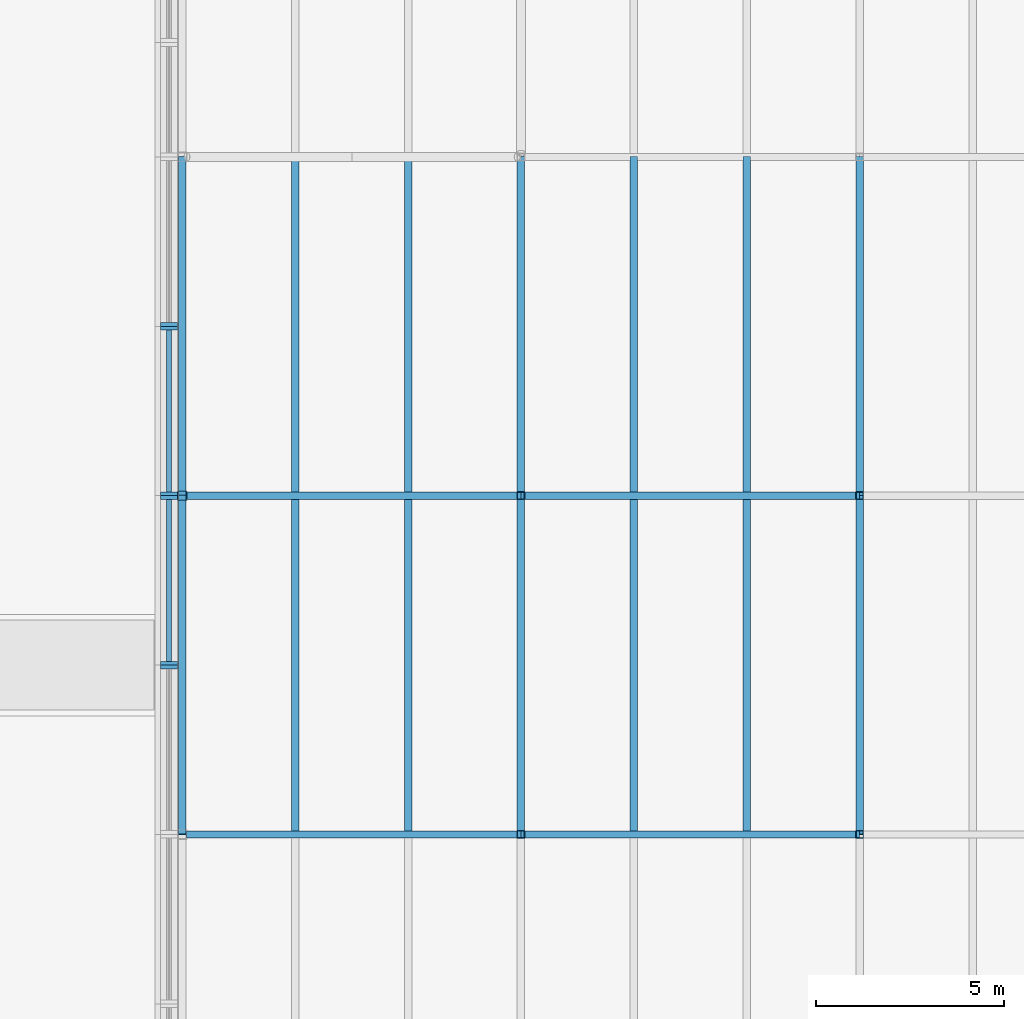
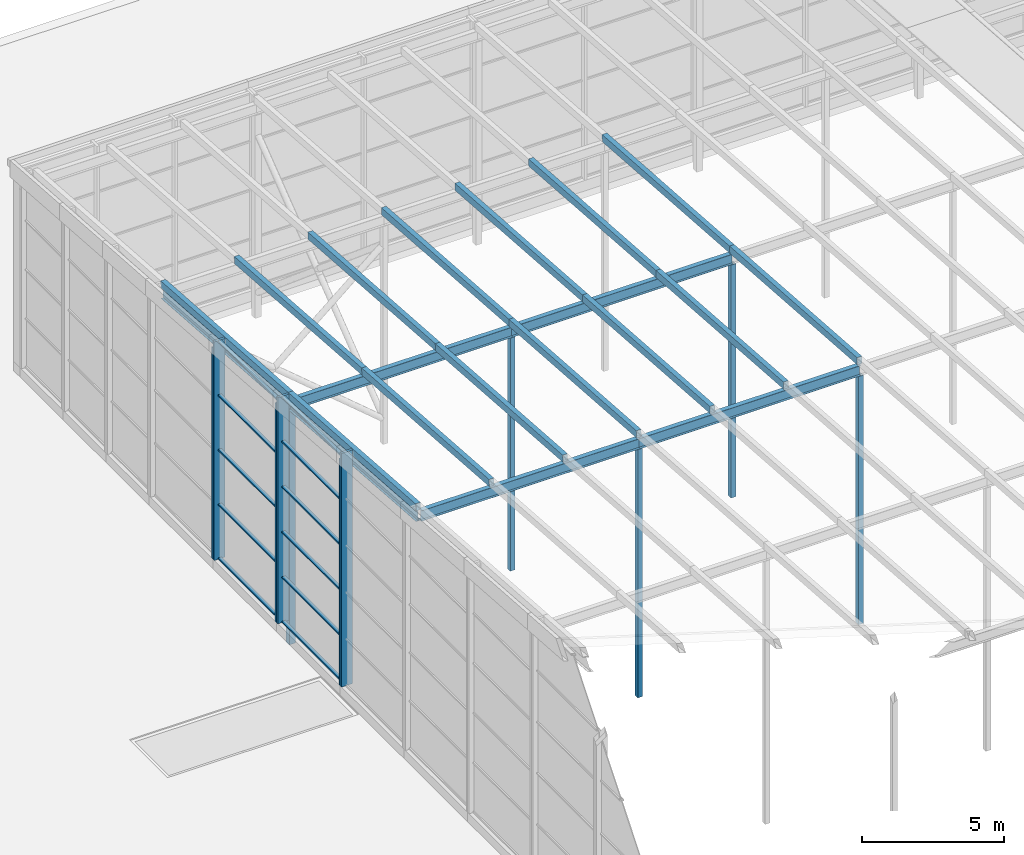
# One storey, part 30 of 84: 36 members, 6 beams, 4 elements without a shape of their own.
"""IFC4 building model written with IfcOpenShell, lengths in metres."""

from ifc_helpers import new_model, si_unit, direction, frame, origin, origin_2d, place, context, subcontext, project, spatial, rectangle, hollow_rectangle, i_section, extrude, material, material_profile, profile_set, type_object, element, aggregate, save


model = new_model("IFC4")

# Units and contexts
model_context = context("Model", 3, precision=1e-05, world=origin(), true_north=direction((0.0, 1.0)))
body_context = subcontext(model_context, "Body", "Model", "MODEL_VIEW")
ifc_project = project(units=[si_unit("LENGTHUNIT", "METRE"), si_unit("AREAUNIT", "SQUARE_METRE"), si_unit("VOLUMEUNIT", "CUBIC_METRE"), si_unit("PLANEANGLEUNIT", "RADIAN"), si_unit("MASSUNIT", "GRAM", prefix="KILO")], contexts=[model_context])

# Site, building, storey
site_placement = place(None, origin())
site = spatial("IfcSite", under=ifc_project, at=site_placement, CompositionType="ELEMENT")
building_placement = place(site_placement, origin())
building = spatial("IfcBuilding", under=site, at=building_placement, Name="Silverbay Arena", CompositionType="ELEMENT")
storey_placement = place(building_placement, frame((0.0, 0.0, 47.10009765625)))
storey = spatial("IfcBuildingStorey", under=building, at=storey_placement, Name="ROOF", CompositionType="ELEMENT", Elevation=47.10009765625)

# Curtain wall, member
ifc_material_1 = material(Name="Aluminium framed glazing", Category="aluminium")
curtain_wall_type_1 = type_object("IfcCurtainWallType", Name="Curtain wall crown 4500 x 10075", PredefinedType="NOTDEFINED", material=ifc_material_1)
curtain_wall_1_placement = place(storey_placement, origin())
curtain_wall_1 = element("IfcCurtainWall", 1, at=curtain_wall_1_placement, inside=storey, type_object=curtain_wall_type_1, Name="ROOF CROWN CURTAIN WALL west bay 20", PredefinedType="NOTDEFINED")
ifc_material_2 = material(Name="Aluminium", Category="aluminium")
ifc_material_profile_1 = material_profile(ifc_material_2, rectangle(XDim=0.449951171875, YDim=0.10009765625, at=origin_2d()), Name="Mullion 100 x 450")
ifc_profile_set_1 = profile_set([ifc_material_profile_1], Name="Aluminium")
member_type_1 = type_object("IfcMemberType", Name="Mullion 100 x 450", PredefinedType="MULLION", material=ifc_profile_set_1)
placement = place(building_placement, frame((0.0, 0.0, 33.5)))
member_1_placement = place(placement, frame((80.64990234375, 112.449951171875, 14.050048828125), z_axis=(0.0, 0.0, 1.0), x_axis=(-1.0, 0.0, 0.0)))
member_1 = element("IfcMember", 2, at=member_1_placement, type_object=member_type_1, Name="CW69 mullion 2", PredefinedType="MULLION", context=body_context, shape_type="SweptSolid", body=[
    extrude(rectangle(XDim=0.449951171875, YDim=0.10009765625, at=origin_2d()), origin(), (0.0, 0.0, 1.0), 10.074951171875),
])
aggregate(curtain_wall_1, [member_1])

# Curtain wall, members
ifc_material_3 = material(Name="Aluminium framed glazing", Category="aluminium")
curtain_wall_type_2 = type_object("IfcCurtainWallType", Name="Curtain wall crown 4500 x 9750", PredefinedType="NOTDEFINED", material=ifc_material_3)
curtain_wall_2_placement = place(storey_placement, origin())
curtain_wall_2 = element("IfcCurtainWall", 3, at=curtain_wall_2_placement, inside=storey, type_object=curtain_wall_type_2, Name="ROOF CROWN CURTAIN WALL west bay 21", PredefinedType="NOTDEFINED")
member_2_placement = place(placement, frame((80.64990234375, 112.550048828125, 14.050048828125), z_axis=(0.0, 0.0, 1.0), x_axis=(-1.0, 0.0, 0.0)))
member_2 = element("IfcMember", 4, at=member_2_placement, type_object=member_type_1, Name="CW68 mullion 1", PredefinedType="MULLION", context=body_context, shape_type="SweptSolid", body=[
    extrude(rectangle(XDim=0.449951171875, YDim=0.10009765625, at=origin_2d()), origin(), (0.0, 0.0, 1.0), 9.75),
])
member_3_placement = place(placement, frame((80.64990234375, 116.949951171875, 14.050048828125), z_axis=(0.0, 0.0, 1.0), x_axis=(-1.0, 0.0, 0.0)))
member_3 = element("IfcMember", 5, at=member_3_placement, type_object=member_type_1, Name="CW68 mullion 2", PredefinedType="MULLION", context=body_context, shape_type="SweptSolid", body=[
    extrude(rectangle(XDim=0.449951171875, YDim=0.10009765625, at=origin_2d()), origin(), (0.0, 0.0, 1.0), 9.75),
])

ifc_material_4 = material(Name="Aluminium framed glazing", Category="aluminium")
curtain_wall_type_3 = type_object("IfcCurtainWallType", Name="Curtain wall crown 4500 x 9425", PredefinedType="NOTDEFINED", material=ifc_material_4)
curtain_wall_3_placement = place(storey_placement, origin())
curtain_wall_3 = element("IfcCurtainWall", 6, at=curtain_wall_3_placement, inside=storey, type_object=curtain_wall_type_3, Name="ROOF CROWN CURTAIN WALL west bay 22", PredefinedType="NOTDEFINED")
member_4_placement = place(placement, frame((80.64990234375, 117.050048828125, 14.050048828125), z_axis=(0.0, 0.0, 1.0), x_axis=(-1.0, 0.0, 0.0)))
member_4 = element("IfcMember", 7, at=member_4_placement, type_object=member_type_1, Name="CW67 mullion 1", PredefinedType="MULLION", context=body_context, shape_type="SweptSolid", body=[
    extrude(rectangle(XDim=0.449951171875, YDim=0.10009765625, at=origin_2d()), origin(), (0.0, 0.0, 1.0), 9.425048828125),
])
member_5_placement = place(placement, frame((80.64990234375, 121.449951171875, 14.050048828125), z_axis=(0.0, 0.0, 1.0), x_axis=(-1.0, 0.0, 0.0)))
member_5 = element("IfcMember", 8, at=member_5_placement, type_object=member_type_1, Name="CW67 mullion 2", PredefinedType="MULLION", context=body_context, shape_type="SweptSolid", body=[
    extrude(rectangle(XDim=0.449951171875, YDim=0.10009765625, at=origin_2d()), origin(), (0.0, 0.0, 1.0), 9.425048828125),
])

# Curtain wall, member
ifc_material_5 = material(Name="Aluminium framed glazing", Category="aluminium")
curtain_wall_type_4 = type_object("IfcCurtainWallType", Name="Curtain wall crown 4500 x 9100", PredefinedType="NOTDEFINED", material=ifc_material_5)
curtain_wall_4_placement = place(storey_placement, origin())
curtain_wall_4 = element("IfcCurtainWall", 9, at=curtain_wall_4_placement, inside=storey, type_object=curtain_wall_type_4, Name="ROOF CROWN CURTAIN WALL west bay 23", PredefinedType="NOTDEFINED")
member_6_placement = place(placement, frame((80.64990234375, 121.550048828125, 14.050048828125), z_axis=(0.0, 0.0, 1.0), x_axis=(-1.0, 0.0, 0.0)))
member_6 = element("IfcMember", 10, at=member_6_placement, type_object=member_type_1, Name="CW66 mullion 1", PredefinedType="MULLION", context=body_context, shape_type="SweptSolid", body=[
    extrude(rectangle(XDim=0.449951171875, YDim=0.10009765625, at=origin_2d()), origin(), (0.0, 0.0, 1.0), 9.099853515625),
])
aggregate(curtain_wall_4, [member_6])

# Members
ifc_material_6 = material(Name="Steel S355", Category="steel")
ifc_material_profile_2 = material_profile(ifc_material_6, hollow_rectangle(XDim=0.199951171875, YDim=0.300048828125, WallThickness=0.00634765625, at=origin_2d()), Name="RHS 300x200x6.3")
ifc_profile_set_2 = profile_set([ifc_material_profile_2], Name="Steel S355")
member_type_2 = type_object("IfcMemberType", Name="Purlin RHS 300x200x6.3", PredefinedType="PURLIN", material=ifc_profile_set_2)
for number, where, z_axis, x_axis, name in (
    (11, (84.0, 108.0, 10.699462890625), (0.0, 0.997402911363, -0.072023832195), (-1.0, 0.0, 0.0), "ROOF PURLIN crown line 02 bay 10"),
    (12, (84.0, 117.0, 10.049560546875), (0.0, 0.997400967367, -0.07205074805), (-1.0, 0.0, 0.0), "ROOF PURLIN crown line 02 bay 11"),
    (13, (87.0, 108.0, 10.699462890625), (0.0, 0.997402911363, -0.072023832195), (-1.0, 0.0, 0.0), "ROOF PURLIN crown line 03 bay 10"),
    (14, (87.0, 117.0, 10.049560546875), (0.0, 0.997400967367, -0.07205074805), (-1.0, 0.0, 0.0), "ROOF PURLIN crown line 03 bay 11"),
    (15, (90.0, 108.0, 10.699462890625), (0.0, 0.997402911363, -0.072023832195), (-1.0, 0.0, 0.0), "ROOF PURLIN crown line 04 bay 10"),
    (16, (90.0, 117.0, 10.049560546875), (0.0, 0.997400967367, -0.07205074805), (-1.0, 0.0, 0.0), "ROOF PURLIN crown line 04 bay 11"),
    (17, (93.0, 108.0, 10.699462890625), (0.0, 0.997402911363, -0.072023832195), (-1.0, 0.0, 0.0), "ROOF PURLIN crown line 05 bay 10"),
    (18, (93.0, 117.0, 10.049560546875), (0.0, 0.997400967367, -0.07205074805), (-1.0, 0.0, 0.0), "ROOF PURLIN crown line 05 bay 11"),
    (19, (96.0, 108.0, 10.699462890625), (0.0, 0.997402911363, -0.072023832195), (-1.0, 0.0, 0.0), "ROOF PURLIN crown line 06 bay 10"),
    (20, (96.0, 117.0, 10.049560546875), (0.0, 0.997400967367, -0.07205074805), (-1.0, 0.0, 0.0), "ROOF PURLIN crown line 06 bay 11"),
    (21, (99.0, 108.0, 10.699462890625), (0.0, 0.997402911363, -0.072023832195), (-1.0, 0.0, 0.0), "ROOF PURLIN crown line 07 bay 10"),
    (22, (99.0, 117.0, 10.049560546875), (0.0, 0.997400967367, -0.07205074805), (-1.0, 0.0, 0.0), "ROOF PURLIN crown line 07 bay 11"),
):
    element("IfcMember", number, at=place(storey_placement, frame(where, z_axis=z_axis, x_axis=x_axis)), inside=storey, type_object=member_type_2, Name=name, PredefinedType="PURLIN", context=body_context, shape_type="SweptSolid", body=[
        extrude(hollow_rectangle(XDim=0.199951171875, YDim=0.300048828125, WallThickness=0.00634765625, at=origin_2d()), origin(), (0.0, 0.0, 1.0), 9.0234375),
    ])
ifc_material_7 = material(Name="Steel S355", Category="steel")
ifc_material_profile_3 = material_profile(ifc_material_7, hollow_rectangle(XDim=0.199951171875, YDim=0.300048828125, WallThickness=0.008056640625, at=origin_2d()), Name="RHS 300x200x8")
ifc_profile_set_3 = profile_set([ifc_material_profile_3], Name="Steel S355")
member_type_3 = type_object("IfcMemberType", Name="Purlin RHS 300x200x8", PredefinedType="PURLIN", material=ifc_profile_set_3)
for number, where, z_axis, x_axis, name in (
    (23, (81.0, 108.0, 10.699462890625), (0.0, 0.997402911363, -0.072023832195), (-1.0, 0.0, 0.0), "ROOF PURLIN crown line 01 bay 10"),
    (24, (81.0, 117.0, 10.049560546875), (0.0, 0.997400967367, -0.07205074805), (-1.0, 0.0, 0.0), "ROOF PURLIN crown line 01 bay 11"),
):
    element("IfcMember", number, at=place(storey_placement, frame(where, z_axis=z_axis, x_axis=x_axis)), inside=storey, type_object=member_type_3, Name=name, PredefinedType="PURLIN", context=body_context, shape_type="SweptSolid", body=[
        extrude(hollow_rectangle(XDim=0.199951171875, YDim=0.300048828125, WallThickness=0.008056640625, at=origin_2d()), origin(), (0.0, 0.0, 1.0), 9.0234375),
    ])

# Beams
ifc_material_8 = material(Name="Steel S355", Category="steel")
ifc_material_profile_4 = material_profile(ifc_material_8, i_section(OverallWidth=0.18994140625, OverallDepth=0.453369140625, WebThickness=0.008544921875, FlangeThickness=0.0126953125, at=origin_2d()), Name="UB 457x191x67")
ifc_profile_set_4 = profile_set([ifc_material_profile_4], Name="Steel S355")
beam_type = type_object("IfcBeamType", Name="Ring beam UB 457x191x67", PredefinedType="BEAM", material=ifc_profile_set_4)
beam_1_placement = place(storey_placement, frame((81.094970703125, 108.0, 10.322509765625), z_axis=(1.0, 0.0, 0.0), x_axis=(0.0, 1.0, 0.0)))
element("IfcBeam", 25, at=beam_1_placement, inside=storey, type_object=beam_type, Name="RING BEAM crown row 10 10-11", PredefinedType="BEAM", context=body_context, shape_type="SweptSolid", body=[
    extrude(i_section(OverallWidth=0.18994140625, OverallDepth=0.453369140625, WebThickness=0.008544921875, FlangeThickness=0.0126953125, at=origin_2d()), origin(), (0.0, 0.0, 1.0), 8.905029296875),
])
beam_2_placement = place(storey_placement, frame((90.0, 108.0, 10.322509765625), z_axis=(1.0, 0.0, 0.0), x_axis=(0.0, 1.0, 0.0)))
element("IfcBeam", 26, at=beam_2_placement, inside=storey, type_object=beam_type, Name="RING BEAM crown row 10 11-12", PredefinedType="BEAM", context=body_context, shape_type="SweptSolid", body=[
    extrude(i_section(OverallWidth=0.18994140625, OverallDepth=0.453369140625, WebThickness=0.008544921875, FlangeThickness=0.0126953125, at=origin_2d()), origin(), (0.0, 0.0, 1.0), 9.0),
])
beam_3_placement = place(storey_placement, frame((81.094970703125, 117.0, 9.67236328125), z_axis=(1.0, 0.0, 0.0), x_axis=(0.0, 1.0, 0.0)))
element("IfcBeam", 27, at=beam_3_placement, inside=storey, type_object=beam_type, Name="RING BEAM crown row 11 10-11", PredefinedType="BEAM", context=body_context, shape_type="SweptSolid", body=[
    extrude(i_section(OverallWidth=0.18994140625, OverallDepth=0.453369140625, WebThickness=0.008544921875, FlangeThickness=0.0126953125, at=origin_2d()), origin(), (0.0, 0.0, 1.0), 8.905029296875),
])
beam_4_placement = place(storey_placement, frame((90.0, 117.0, 9.67236328125), z_axis=(1.0, 0.0, 0.0), x_axis=(0.0, 1.0, 0.0)))
element("IfcBeam", 28, at=beam_4_placement, inside=storey, type_object=beam_type, Name="RING BEAM crown row 11 11-12", PredefinedType="BEAM", context=body_context, shape_type="SweptSolid", body=[
    extrude(i_section(OverallWidth=0.18994140625, OverallDepth=0.453369140625, WebThickness=0.008544921875, FlangeThickness=0.0126953125, at=origin_2d()), origin(), (0.0, 0.0, 1.0), 9.0),
])
for number, where, z_axis, x_axis, name in (
    (29, (81.0, 108.0, 10.322509765625), (0.0, 0.997400967367, -0.07205074805), (-1.0, 0.0, 0.0), "RING BEAM crown west edge 10"),
    (30, (81.0, 117.0, 9.67236328125), (0.0, 0.997402911363, -0.072023832195), (-1.0, 0.0, 0.0), "RING BEAM crown west edge 11"),
):
    element("IfcBeam", number, at=place(storey_placement, frame(where, z_axis=z_axis, x_axis=x_axis)), inside=storey, type_object=beam_type, Name=name, PredefinedType="BEAM", context=body_context, shape_type="SweptSolid", body=[
        extrude(i_section(OverallWidth=0.18994140625, OverallDepth=0.453369140625, WebThickness=0.008544921875, FlangeThickness=0.0126953125, at=origin_2d()), origin(), (0.0, 0.0, 1.0), 9.0234375),
    ])

# Members
ifc_material_9 = material(Name="Steel S355", Category="steel")
ifc_material_profile_5 = material_profile(ifc_material_9, hollow_rectangle(XDim=0.199951171875, YDim=0.199951171875, WallThickness=0.008056640625, at=origin_2d()), Name="SHS 200x200x8")
ifc_profile_set_5 = profile_set([ifc_material_profile_5], Name="Steel S355")
member_type_4 = type_object("IfcMemberType", Name="Roof post SHS 200x200x8", PredefinedType="POST", material=ifc_profile_set_5)
member_7_placement = place(storey_placement, frame((90.0, 108.0, -0.60009765625), z_axis=(0.0, 0.0, 1.0), x_axis=(1.0, 0.0, 0.0)))
element("IfcMember", 31, at=member_7_placement, inside=storey, type_object=member_type_4, Name="ROOF CROWN POST 11 row 10", PredefinedType="POST", context=body_context, shape_type="SweptSolid", body=[
    extrude(hollow_rectangle(XDim=0.199951171875, YDim=0.199951171875, WallThickness=0.008056640625, at=origin_2d()), origin(), (0.0, 0.0, 1.0), 10.69580078125),
])
member_8_placement = place(storey_placement, frame((90.0, 117.0, -0.60009765625), z_axis=(0.0, 0.0, 1.0), x_axis=(1.0, 0.0, 0.0)))
element("IfcMember", 32, at=member_8_placement, inside=storey, type_object=member_type_4, Name="ROOF CROWN POST 11 row 11", PredefinedType="POST", context=body_context, shape_type="SweptSolid", body=[
    extrude(hollow_rectangle(XDim=0.199951171875, YDim=0.199951171875, WallThickness=0.008056640625, at=origin_2d()), origin(), (0.0, 0.0, 1.0), 10.0458984375),
])
member_9_placement = place(storey_placement, frame((99.0, 108.0, -0.60009765625), z_axis=(0.0, 0.0, 1.0), x_axis=(1.0, 0.0, 0.0)))
element("IfcMember", 33, at=member_9_placement, inside=storey, type_object=member_type_4, Name="ROOF CROWN POST 12 row 10", PredefinedType="POST", context=body_context, shape_type="SweptSolid", body=[
    extrude(hollow_rectangle(XDim=0.199951171875, YDim=0.199951171875, WallThickness=0.008056640625, at=origin_2d()), origin(), (0.0, 0.0, 1.0), 10.69580078125),
])
member_10_placement = place(storey_placement, frame((99.0, 117.0, -0.60009765625), z_axis=(0.0, 0.0, 1.0), x_axis=(1.0, 0.0, 0.0)))
element("IfcMember", 34, at=member_10_placement, inside=storey, type_object=member_type_4, Name="ROOF CROWN POST 12 row 11", PredefinedType="POST", context=body_context, shape_type="SweptSolid", body=[
    extrude(hollow_rectangle(XDim=0.199951171875, YDim=0.199951171875, WallThickness=0.008056640625, at=origin_2d()), origin(), (0.0, 0.0, 1.0), 10.0458984375),
])
ifc_material_10 = material(Name="Steel S355", Category="steel")
ifc_material_profile_6 = material_profile(ifc_material_10, hollow_rectangle(XDim=0.25, YDim=0.25, WallThickness=0.008056640625, at=origin_2d()), Name="SHS 250x250x8")
ifc_profile_set_6 = profile_set([ifc_material_profile_6], Name="Steel S355")
member_type_5 = type_object("IfcMemberType", Name="Roof post SHS 250x250x8", PredefinedType="POST", material=ifc_profile_set_6)
member_11_placement = place(storey_placement, frame((81.0, 117.0, -0.60009765625), z_axis=(0.0, 0.0, 1.0), x_axis=(1.0, 0.0, 0.0)))
element("IfcMember", 35, at=member_11_placement, inside=storey, type_object=member_type_5, Name="ROOF CROWN POST 10 row 11", PredefinedType="POST", context=body_context, shape_type="SweptSolid", body=[
    extrude(hollow_rectangle(XDim=0.25, YDim=0.25, WallThickness=0.008056640625, at=origin_2d()), origin(), (0.0, 0.0, 1.0), 10.0458984375),
])

# Member
ifc_material_11 = material(Name="Aluminium", Category="aluminium")
ifc_material_profile_7 = material_profile(ifc_material_11, rectangle(XDim=0.139892578125, YDim=0.06005859375, at=origin_2d()), Name="Transom 60 x 140")
ifc_profile_set_7 = profile_set([ifc_material_profile_7], Name="Aluminium")
member_type_6 = type_object("IfcMemberType", Name="Transom 60 x 140", PredefinedType="USERDEFINED", material=ifc_profile_set_7)
member_12_placement = place(placement, frame((80.64990234375, 112.60009765625, 14.080078125), z_axis=(0.0, 1.0, 0.0), x_axis=(-1.0, 0.0, 0.0)))
member_12 = element("IfcMember", 36, at=member_12_placement, type_object=member_type_6, Name="CW68 transom 1.1", ObjectType="TRANSOM", PredefinedType="USERDEFINED", context=body_context, shape_type="SweptSolid", body=[
    extrude(rectangle(XDim=0.139892578125, YDim=0.06005859375, at=origin_2d()), origin(), (0.0, 0.0, 1.0), 4.2998046875),
])

member_13_placement = place(placement, frame((80.64990234375, 112.60009765625, 16.0), z_axis=(0.0, 1.0, 0.0), x_axis=(-1.0, 0.0, 0.0)))
member_13 = element("IfcMember", 37, at=member_13_placement, type_object=member_type_6, Name="CW68 transom 1.2", ObjectType="TRANSOM", PredefinedType="USERDEFINED", context=body_context, shape_type="SweptSolid", body=[
    extrude(rectangle(XDim=0.139892578125, YDim=0.06005859375, at=origin_2d()), origin(), (0.0, 0.0, 1.0), 4.2998046875),
])

member_14_placement = place(placement, frame((80.64990234375, 112.60009765625, 17.949951171875), z_axis=(0.0, 1.0, 0.0), x_axis=(-1.0, 0.0, 0.0)))
member_14 = element("IfcMember", 38, at=member_14_placement, type_object=member_type_6, Name="CW68 transom 1.3", ObjectType="TRANSOM", PredefinedType="USERDEFINED", context=body_context, shape_type="SweptSolid", body=[
    extrude(rectangle(XDim=0.139892578125, YDim=0.06005859375, at=origin_2d()), origin(), (0.0, 0.0, 1.0), 4.2998046875),
])

member_15_placement = place(placement, frame((80.64990234375, 112.60009765625, 19.89990234375), z_axis=(0.0, 1.0, 0.0), x_axis=(-1.0, 0.0, 0.0)))
member_15 = element("IfcMember", 39, at=member_15_placement, type_object=member_type_6, Name="CW68 transom 1.4", ObjectType="TRANSOM", PredefinedType="USERDEFINED", context=body_context, shape_type="SweptSolid", body=[
    extrude(rectangle(XDim=0.139892578125, YDim=0.06005859375, at=origin_2d()), origin(), (0.0, 0.0, 1.0), 4.2998046875),
])

member_16_placement = place(placement, frame((80.64990234375, 112.60009765625, 21.85009765625), z_axis=(0.0, 1.0, 0.0), x_axis=(-1.0, 0.0, 0.0)))
member_16 = element("IfcMember", 40, at=member_16_placement, type_object=member_type_6, Name="CW68 transom 1.5", ObjectType="TRANSOM", PredefinedType="USERDEFINED", context=body_context, shape_type="SweptSolid", body=[
    extrude(rectangle(XDim=0.139892578125, YDim=0.06005859375, at=origin_2d()), origin(), (0.0, 0.0, 1.0), 4.2998046875),
])

member_17_placement = place(placement, frame((80.64990234375, 112.60009765625, 23.77001953125), z_axis=(0.0, 1.0, 0.0), x_axis=(-1.0, 0.0, 0.0)))
member_17 = element("IfcMember", 41, at=member_17_placement, type_object=member_type_6, Name="CW68 transom 1.6", ObjectType="TRANSOM", PredefinedType="USERDEFINED", context=body_context, shape_type="SweptSolid", body=[
    extrude(rectangle(XDim=0.139892578125, YDim=0.06005859375, at=origin_2d()), origin(), (0.0, 0.0, 1.0), 4.2998046875),
])

aggregate(curtain_wall_2, [member_2, member_3, member_12, member_13, member_14, member_15, member_16, member_17])

member_18_placement = place(placement, frame((80.64990234375, 117.10009765625, 14.080078125), z_axis=(0.0, 1.0, 0.0), x_axis=(-1.0, 0.0, 0.0)))
member_18 = element("IfcMember", 42, at=member_18_placement, type_object=member_type_6, Name="CW67 transom 1.1", ObjectType="TRANSOM", PredefinedType="USERDEFINED", context=body_context, shape_type="SweptSolid", body=[
    extrude(rectangle(XDim=0.139892578125, YDim=0.06005859375, at=origin_2d()), origin(), (0.0, 0.0, 1.0), 4.2998046875),
])

member_19_placement = place(placement, frame((80.64990234375, 117.10009765625, 16.40625), z_axis=(0.0, 1.0, 0.0), x_axis=(-1.0, 0.0, 0.0)))
member_19 = element("IfcMember", 43, at=member_19_placement, type_object=member_type_6, Name="CW67 transom 1.2", ObjectType="TRANSOM", PredefinedType="USERDEFINED", context=body_context, shape_type="SweptSolid", body=[
    extrude(rectangle(XDim=0.139892578125, YDim=0.06005859375, at=origin_2d()), origin(), (0.0, 0.0, 1.0), 4.2998046875),
])

member_20_placement = place(placement, frame((80.64990234375, 117.10009765625, 18.762451171875), z_axis=(0.0, 1.0, 0.0), x_axis=(-1.0, 0.0, 0.0)))
member_20 = element("IfcMember", 44, at=member_20_placement, type_object=member_type_6, Name="CW67 transom 1.3", ObjectType="TRANSOM", PredefinedType="USERDEFINED", context=body_context, shape_type="SweptSolid", body=[
    extrude(rectangle(XDim=0.139892578125, YDim=0.06005859375, at=origin_2d()), origin(), (0.0, 0.0, 1.0), 4.2998046875),
])

member_21_placement = place(placement, frame((80.64990234375, 117.10009765625, 21.11865234375), z_axis=(0.0, 1.0, 0.0), x_axis=(-1.0, 0.0, 0.0)))
member_21 = element("IfcMember", 45, at=member_21_placement, type_object=member_type_6, Name="CW67 transom 1.4", ObjectType="TRANSOM", PredefinedType="USERDEFINED", context=body_context, shape_type="SweptSolid", body=[
    extrude(rectangle(XDim=0.139892578125, YDim=0.06005859375, at=origin_2d()), origin(), (0.0, 0.0, 1.0), 4.2998046875),
])

member_22_placement = place(placement, frame((80.64990234375, 117.10009765625, 23.445068359375), z_axis=(0.0, 1.0, 0.0), x_axis=(-1.0, 0.0, 0.0)))
member_22 = element("IfcMember", 46, at=member_22_placement, type_object=member_type_6, Name="CW67 transom 1.5", ObjectType="TRANSOM", PredefinedType="USERDEFINED", context=body_context, shape_type="SweptSolid", body=[
    extrude(rectangle(XDim=0.139892578125, YDim=0.06005859375, at=origin_2d()), origin(), (0.0, 0.0, 1.0), 4.2998046875),
])

aggregate(curtain_wall_3, [member_4, member_5, member_18, member_19, member_20, member_21, member_22])

save(model, "model.ifc")
